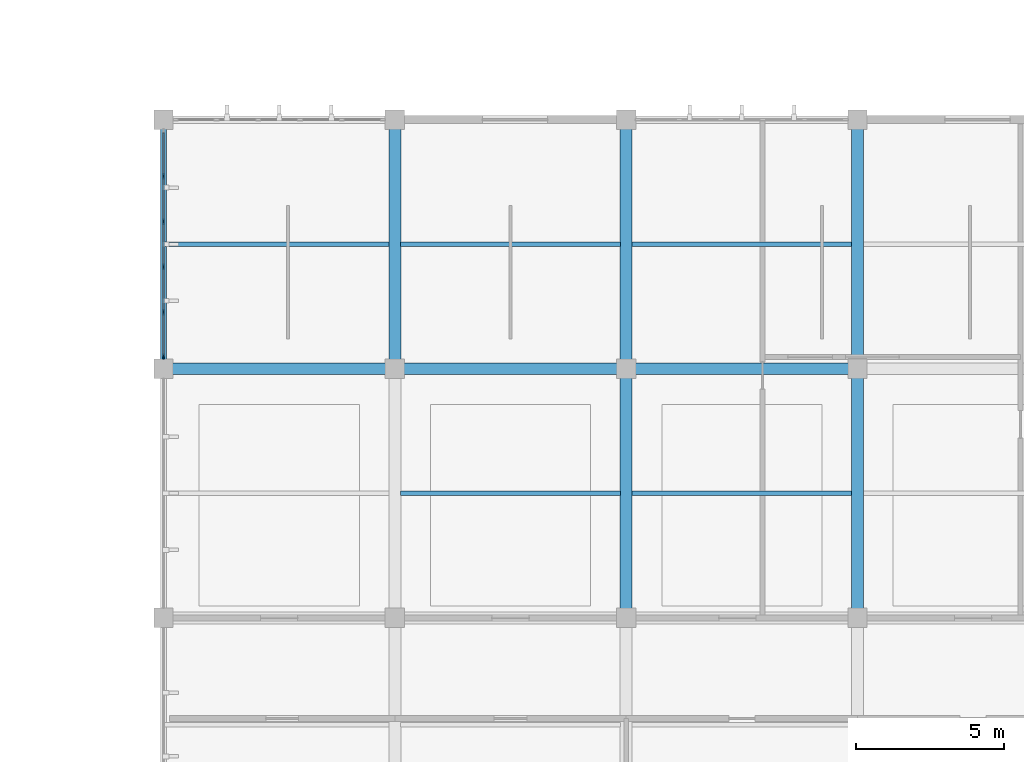
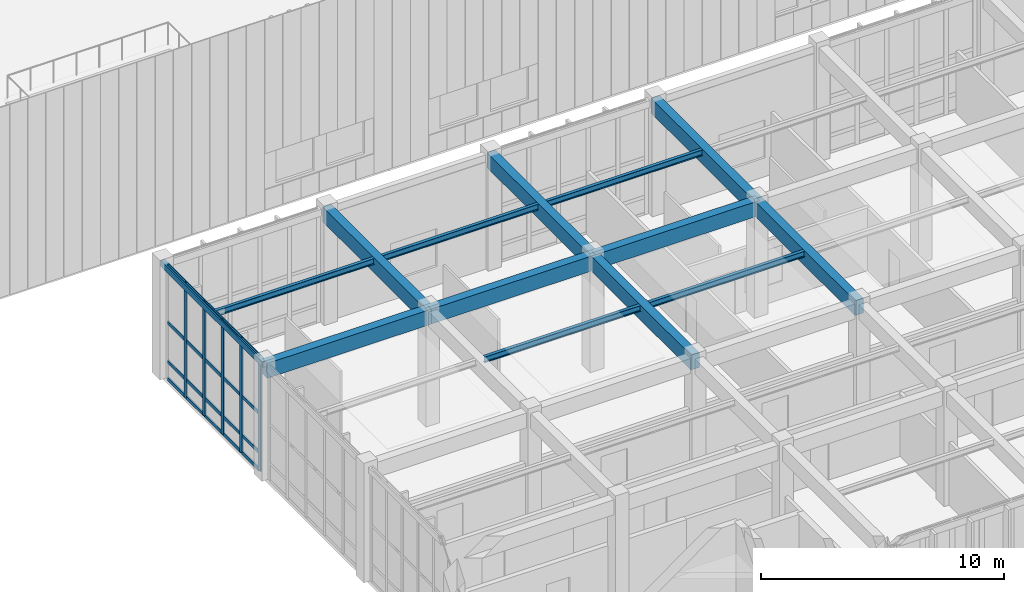
# One storey, part 12 of 105: 25 members, 14 beams, 1 element without a shape of its own.
"""IFC4 building model written with IfcOpenShell, lengths in metres."""

from ifc_helpers import new_model, si_unit, direction, frame, origin, origin_2d, place, context, subcontext, project, spatial, rectangle, hollow_rectangle, i_section, extrude, material, material_profile, profile_set, type_object, element, aggregate, save


model = new_model("IFC4")

# Units and contexts
model_context = context("Model", 3, precision=1e-05, world=origin(), true_north=direction((0.0, 1.0)))
body_context = subcontext(model_context, "Body", "Model", "MODEL_VIEW")
ifc_project = project(units=[si_unit("LENGTHUNIT", "METRE"), si_unit("AREAUNIT", "SQUARE_METRE"), si_unit("VOLUMEUNIT", "CUBIC_METRE"), si_unit("PLANEANGLEUNIT", "RADIAN"), si_unit("MASSUNIT", "GRAM", prefix="KILO")], contexts=[model_context])

# Site, building, storey
site_placement = place(None, origin())
site = spatial("IfcSite", under=ifc_project, at=site_placement, CompositionType="ELEMENT")
building_placement = place(site_placement, origin())
building = spatial("IfcBuilding", under=site, at=building_placement, Name="Tizgana Railside Sports Hall", CompositionType="ELEMENT")
storey_placement = place(building_placement, frame((0.0, 0.0, 6.0)))
storey = spatial("IfcBuildingStorey", under=building, at=storey_placement, Name="L01", CompositionType="ELEMENT", Elevation=6.0)

# Beams
ifc_material_1 = material(Name="Concrete C35/45", Category="concrete")
ifc_material_profile_1 = material_profile(ifc_material_1, rectangle(XDim=0.39990234375, YDim=0.75, at=origin_2d()), Name="RCB 400x750")
ifc_profile_set_1 = profile_set([ifc_material_profile_1], Name="Concrete C35/45")
beam_type_1 = type_object("IfcBeamType", Name="Concrete Beam RCB 400x750", PredefinedType="BEAM", material=ifc_profile_set_1)
for number, where, z_axis, x_axis, name in (
    (1, (15.60009765625, 24.0, 5.361083984375), (0.0, 1.0, 0.0), (-1.0, 0.0, 0.0), "L01 BEM-0471"),
    (2, (23.39990234375, 15.60009765625, 5.361083984375), (0.0, 1.0, 0.0), (-1.0, 0.0, 0.0), "L01 BEM-0474"),
    (3, (23.39990234375, 24.0, 5.361083984375), (0.0, 1.0, 0.0), (-1.0, 0.0, 0.0), "L01 BEM-0475"),
    (4, (31.199951171875, 15.60009765625, 5.361083984375), (0.0, 1.0, 0.0), (-1.0, 0.0, 0.0), "L01 BEM-0478"),
    (5, (31.199951171875, 24.0, 5.361083984375), (0.0, 1.0, 0.0), (-1.0, 0.0, 0.0), "L01 BEM-0479"),
):
    element("IfcBeam", number, at=place(storey_placement, frame(where, z_axis=z_axis, x_axis=x_axis)), inside=storey, type_object=beam_type_1, Name=name, PredefinedType="BEAM", context=body_context, shape_type="SweptSolid", body=[
        extrude(rectangle(XDim=0.39990234375, YDim=0.75, at=origin_2d()), origin(), (0.0, 0.0, 1.0), 8.39990234375),
    ])
beam_1_placement = place(storey_placement, frame((7.800048828125, 24.0, 5.361083984375), z_axis=(1.0, 0.0, 0.0), x_axis=(0.0, 1.0, 0.0)))
element("IfcBeam", 6, at=beam_1_placement, inside=storey, type_object=beam_type_1, Name="L01 BEM-0512", PredefinedType="BEAM", context=body_context, shape_type="SweptSolid", body=[
    extrude(rectangle(XDim=0.39990234375, YDim=0.75, at=origin_2d()), origin(), (0.0, 0.0, 1.0), 7.800048828125),
])
beam_2_placement = place(storey_placement, frame((15.60009765625, 24.0, 5.361083984375), z_axis=(1.0, 0.0, 0.0), x_axis=(0.0, 1.0, 0.0)))
element("IfcBeam", 7, at=beam_2_placement, inside=storey, type_object=beam_type_1, Name="L01 BEM-0519", PredefinedType="BEAM", context=body_context, shape_type="SweptSolid", body=[
    extrude(rectangle(XDim=0.39990234375, YDim=0.75, at=origin_2d()), origin(), (0.0, 0.0, 1.0), 7.7998046875),
])
beam_3_placement = place(storey_placement, frame((23.39990234375, 24.0, 5.361083984375), z_axis=(1.0, 0.0, 0.0), x_axis=(0.0, 1.0, 0.0)))
element("IfcBeam", 8, at=beam_3_placement, inside=storey, type_object=beam_type_1, Name="L01 BEM-0527", PredefinedType="BEAM", context=body_context, shape_type="SweptSolid", body=[
    extrude(rectangle(XDim=0.39990234375, YDim=0.75, at=origin_2d()), origin(), (0.0, 0.0, 1.0), 7.800048828125),
])

# Curtain wall, members
ifc_material_2 = material(Name="Anodised aluminium and glass", Category="aluminium")
curtain_wall_type = type_object("IfcCurtainWallType", Name="Unitised Curtain Wall Climbing 1600", PredefinedType="NOTDEFINED", material=ifc_material_2)
curtain_wall_placement = place(storey_placement, origin())
curtain_wall = element("IfcCurtainWall", 9, at=curtain_wall_placement, inside=storey, type_object=curtain_wall_type, Name="L01 Curtain Wall CW-0099", PredefinedType="NOTDEFINED")
ifc_material_3 = material(Name="Anodised aluminium", Category="aluminium")
ifc_material_profile_2 = material_profile(ifc_material_3, rectangle(XDim=0.06494140625, YDim=0.199951171875, at=origin_2d()), Name="Mullion 65x200")
ifc_profile_set_2 = profile_set([ifc_material_profile_2], Name="Anodised aluminium")
member_type_1 = type_object("IfcMemberType", Name="Mullion 65x200", PredefinedType="MULLION", material=ifc_profile_set_2)
member_1_placement = place(storey_placement, frame((7.800048828125, 30.491943359375, 0.0), z_axis=(0.0, 0.0, 1.0), x_axis=(1.0, 0.0, 0.0)))
member_1 = element("IfcMember", 10, at=member_1_placement, type_object=member_type_1, Name="CW-04 mullion 2", PredefinedType="MULLION", context=body_context, shape_type="SweptSolid", body=[
    extrude(rectangle(XDim=0.06494140625, YDim=0.199951171875, at=origin_2d()), origin(), (0.0, 0.0, 1.0), 5.719970703125),
])
member_2_placement = place(storey_placement, frame((7.800048828125, 28.964111328125, 0.0), z_axis=(0.0, 0.0, 1.0), x_axis=(1.0, 0.0, 0.0)))
member_2 = element("IfcMember", 11, at=member_2_placement, type_object=member_type_1, Name="CW-04 mullion 3", PredefinedType="MULLION", context=body_context, shape_type="SweptSolid", body=[
    extrude(rectangle(XDim=0.06494140625, YDim=0.199951171875, at=origin_2d()), origin(), (0.0, 0.0, 1.0), 5.719970703125),
])
member_3_placement = place(storey_placement, frame((7.800048828125, 27.43603515625, 0.0), z_axis=(0.0, 0.0, 1.0), x_axis=(1.0, 0.0, 0.0)))
member_3 = element("IfcMember", 12, at=member_3_placement, type_object=member_type_1, Name="CW-04 mullion 4", PredefinedType="MULLION", context=body_context, shape_type="SweptSolid", body=[
    extrude(rectangle(XDim=0.06494140625, YDim=0.199951171875, at=origin_2d()), origin(), (0.0, 0.0, 1.0), 5.719970703125),
])
member_4_placement = place(storey_placement, frame((7.800048828125, 25.907958984375, 0.0), z_axis=(0.0, 0.0, 1.0), x_axis=(1.0, 0.0, 0.0)))
member_4 = element("IfcMember", 13, at=member_4_placement, type_object=member_type_1, Name="CW-04 mullion 5", PredefinedType="MULLION", context=body_context, shape_type="SweptSolid", body=[
    extrude(rectangle(XDim=0.06494140625, YDim=0.199951171875, at=origin_2d()), origin(), (0.0, 0.0, 1.0), 5.719970703125),
])
member_5_placement = place(storey_placement, frame((7.800048828125, 24.41259765625, 0.0), z_axis=(0.0, 0.0, 1.0), x_axis=(1.0, 0.0, 0.0)))
member_5 = element("IfcMember", 14, at=member_5_placement, type_object=member_type_1, Name="CW-04 mullion 6", PredefinedType="MULLION", context=body_context, shape_type="SweptSolid", body=[
    extrude(rectangle(XDim=0.06494140625, YDim=0.199951171875, at=origin_2d()), origin(), (0.0, 0.0, 1.0), 5.719970703125),
])

# Beams
ifc_material_4 = material(Name="Steel S355J2", Category="steel")
ifc_material_profile_3 = material_profile(ifc_material_4, i_section(OverallWidth=0.14990234375, OverallDepth=0.300048828125, WebThickness=0.007080078125, FlangeThickness=0.0107421875, FilletRadius=0.014892578125, at=origin_2d()), Name="IPE 300")
ifc_profile_set_3 = profile_set([ifc_material_profile_3], Name="Steel S355J2")
beam_type_2 = type_object("IfcBeamType", Name="Steel Joist IPE 300", PredefinedType="JOIST", material=ifc_profile_set_3)
beam_4_placement = place(storey_placement, frame((7.800048828125, 28.199951171875, 5.5859375), z_axis=(1.0, 0.0, 0.0), x_axis=(0.0, 1.0, 0.0)))
element("IfcBeam", 15, at=beam_4_placement, inside=storey, type_object=beam_type_2, Name="L01 BEM-0516", PredefinedType="JOIST", context=body_context, shape_type="SweptSolid", body=[
    extrude(i_section(OverallWidth=0.14990234375, OverallDepth=0.300048828125, WebThickness=0.007080078125, FlangeThickness=0.0107421875, FilletRadius=0.014892578125, at=origin_2d()), origin(), (0.0, 0.0, 1.0), 7.60498046875),
])
for number, where, z_axis, x_axis, name in (
    (16, (15.794921875, 19.800048828125, 5.5859375), (1.0, 0.0, 0.0), (0.0, 1.0, 0.0), "L01 BEM-0522"),
    (17, (15.794921875, 28.199951171875, 5.5859375), (1.0, 0.0, 0.0), (0.0, 1.0, 0.0), "L01 BEM-0523"),
):
    element("IfcBeam", number, at=place(storey_placement, frame(where, z_axis=z_axis, x_axis=x_axis)), inside=storey, type_object=beam_type_2, Name=name, PredefinedType="JOIST", context=body_context, shape_type="SweptSolid", body=[
        extrude(i_section(OverallWidth=0.14990234375, OverallDepth=0.300048828125, WebThickness=0.007080078125, FlangeThickness=0.0107421875, FilletRadius=0.014892578125, at=origin_2d()), origin(), (0.0, 0.0, 1.0), 7.41015625),
    ])
for number, where, z_axis, x_axis, name in (
    (18, (23.594970703125, 19.800048828125, 5.5859375), (1.0, 0.0, 0.0), (0.0, 1.0, 0.0), "L01 BEM-0531"),
    (19, (23.594970703125, 28.199951171875, 5.5859375), (1.0, 0.0, 0.0), (0.0, 1.0, 0.0), "L01 BEM-0532"),
):
    element("IfcBeam", number, at=place(storey_placement, frame(where, z_axis=z_axis, x_axis=x_axis)), inside=storey, type_object=beam_type_2, Name=name, PredefinedType="JOIST", context=body_context, shape_type="SweptSolid", body=[
        extrude(i_section(OverallWidth=0.14990234375, OverallDepth=0.300048828125, WebThickness=0.007080078125, FlangeThickness=0.0107421875, FilletRadius=0.014892578125, at=origin_2d()), origin(), (0.0, 0.0, 1.0), 7.409912109375),
    ])
ifc_material_profile_4 = material_profile(ifc_material_4, hollow_rectangle(XDim=0.199951171875, YDim=0.300048828125, WallThickness=0.010009765625, at=origin_2d()), Name="RHS 300x200x10")
ifc_profile_set_4 = profile_set([ifc_material_profile_4], Name="Steel S355J2")
beam_type_3 = type_object("IfcBeamType", Name="Steel Spandrel RHS 300x200x10", PredefinedType="SPANDREL", material=ifc_profile_set_4)
beam_5_placement = place(storey_placement, frame((7.800048828125, 24.0, 5.5859375), z_axis=(0.0, 1.0, 0.0), x_axis=(-1.0, 0.0, 0.0)))
element("IfcBeam", 20, at=beam_5_placement, inside=storey, type_object=beam_type_3, Name="L01 BEM-0468", PredefinedType="SPANDREL", context=body_context, shape_type="SweptSolid", body=[
    extrude(hollow_rectangle(XDim=0.199951171875, YDim=0.300048828125, WallThickness=0.010009765625, at=origin_2d()), origin(), (0.0, 0.0, 1.0), 8.39990234375),
])

# Member
ifc_material_profile_5 = material_profile(ifc_material_3, rectangle(XDim=0.06494140625, YDim=0.169921875, at=origin_2d()), Name="Transom 65x170")
ifc_profile_set_5 = profile_set([ifc_material_profile_5], Name="Anodised aluminium")
member_type_2 = type_object("IfcMemberType", Name="Transom 65x170", PredefinedType="USERDEFINED", material=ifc_profile_set_5)
member_6_placement = place(storey_placement, frame((7.800048828125, 31.955078125, 0.032470703125), z_axis=(0.0, -1.0, 0.0), x_axis=(1.0, 0.0, 0.0)))
member_6 = element("IfcMember", 21, at=member_6_placement, type_object=member_type_2, Name="CW-04 transom 1.1", ObjectType="TRANSOM", PredefinedType="USERDEFINED", context=body_context, shape_type="SweptSolid", body=[
    extrude(rectangle(XDim=0.06494140625, YDim=0.169921875, at=origin_2d()), origin(), (0.0, 0.0, 1.0), 1.4306640625),
])

member_7_placement = place(storey_placement, frame((7.800048828125, 31.955078125, 0.89990234375), z_axis=(0.0, -1.0, 0.0), x_axis=(1.0, 0.0, 0.0)))
member_7 = element("IfcMember", 22, at=member_7_placement, type_object=member_type_2, Name="CW-04 transom 1.2", ObjectType="TRANSOM", PredefinedType="USERDEFINED", context=body_context, shape_type="SweptSolid", body=[
    extrude(rectangle(XDim=0.06494140625, YDim=0.169921875, at=origin_2d()), origin(), (0.0, 0.0, 1.0), 1.4306640625),
])

member_8_placement = place(storey_placement, frame((7.800048828125, 31.955078125, 2.860107421875), z_axis=(0.0, -1.0, 0.0), x_axis=(1.0, 0.0, 0.0)))
member_8 = element("IfcMember", 23, at=member_8_placement, type_object=member_type_2, Name="CW-04 transom 1.3", ObjectType="TRANSOM", PredefinedType="USERDEFINED", context=body_context, shape_type="SweptSolid", body=[
    extrude(rectangle(XDim=0.06494140625, YDim=0.169921875, at=origin_2d()), origin(), (0.0, 0.0, 1.0), 1.4306640625),
])

member_9_placement = place(storey_placement, frame((7.800048828125, 31.955078125, 5.6875), z_axis=(0.0, -1.0, 0.0), x_axis=(1.0, 0.0, 0.0)))
member_9 = element("IfcMember", 24, at=member_9_placement, type_object=member_type_2, Name="CW-04 transom 1.4", ObjectType="TRANSOM", PredefinedType="USERDEFINED", context=body_context, shape_type="SweptSolid", body=[
    extrude(rectangle(XDim=0.06494140625, YDim=0.169921875, at=origin_2d()), origin(), (0.0, 0.0, 1.0), 1.4306640625),
])

member_10_placement = place(storey_placement, frame((7.800048828125, 30.45947265625, 0.032470703125), z_axis=(0.0, -1.0, 0.0), x_axis=(1.0, 0.0, 0.0)))
member_10 = element("IfcMember", 25, at=member_10_placement, type_object=member_type_2, Name="CW-04 transom 2.1", ObjectType="TRANSOM", PredefinedType="USERDEFINED", context=body_context, shape_type="SweptSolid", body=[
    extrude(rectangle(XDim=0.06494140625, YDim=0.169921875, at=origin_2d()), origin(), (0.0, 0.0, 1.0), 1.462890625),
])

member_11_placement = place(storey_placement, frame((7.800048828125, 30.45947265625, 0.89990234375), z_axis=(0.0, -1.0, 0.0), x_axis=(1.0, 0.0, 0.0)))
member_11 = element("IfcMember", 26, at=member_11_placement, type_object=member_type_2, Name="CW-04 transom 2.2", ObjectType="TRANSOM", PredefinedType="USERDEFINED", context=body_context, shape_type="SweptSolid", body=[
    extrude(rectangle(XDim=0.06494140625, YDim=0.169921875, at=origin_2d()), origin(), (0.0, 0.0, 1.0), 1.462890625),
])

member_12_placement = place(storey_placement, frame((7.800048828125, 30.45947265625, 2.860107421875), z_axis=(0.0, -1.0, 0.0), x_axis=(1.0, 0.0, 0.0)))
member_12 = element("IfcMember", 27, at=member_12_placement, type_object=member_type_2, Name="CW-04 transom 2.3", ObjectType="TRANSOM", PredefinedType="USERDEFINED", context=body_context, shape_type="SweptSolid", body=[
    extrude(rectangle(XDim=0.06494140625, YDim=0.169921875, at=origin_2d()), origin(), (0.0, 0.0, 1.0), 1.462890625),
])

member_13_placement = place(storey_placement, frame((7.800048828125, 30.45947265625, 5.6875), z_axis=(0.0, -1.0, 0.0), x_axis=(1.0, 0.0, 0.0)))
member_13 = element("IfcMember", 28, at=member_13_placement, type_object=member_type_2, Name="CW-04 transom 2.4", ObjectType="TRANSOM", PredefinedType="USERDEFINED", context=body_context, shape_type="SweptSolid", body=[
    extrude(rectangle(XDim=0.06494140625, YDim=0.169921875, at=origin_2d()), origin(), (0.0, 0.0, 1.0), 1.462890625),
])

member_14_placement = place(storey_placement, frame((7.800048828125, 28.931396484375, 0.032470703125), z_axis=(0.0, -1.0, 0.0), x_axis=(1.0, 0.0, 0.0)))
member_14 = element("IfcMember", 29, at=member_14_placement, type_object=member_type_2, Name="CW-04 transom 3.1", ObjectType="TRANSOM", PredefinedType="USERDEFINED", context=body_context, shape_type="SweptSolid", body=[
    extrude(rectangle(XDim=0.06494140625, YDim=0.169921875, at=origin_2d()), origin(), (0.0, 0.0, 1.0), 1.462890625),
])

member_15_placement = place(storey_placement, frame((7.800048828125, 28.931396484375, 0.89990234375), z_axis=(0.0, -1.0, 0.0), x_axis=(1.0, 0.0, 0.0)))
member_15 = element("IfcMember", 30, at=member_15_placement, type_object=member_type_2, Name="CW-04 transom 3.2", ObjectType="TRANSOM", PredefinedType="USERDEFINED", context=body_context, shape_type="SweptSolid", body=[
    extrude(rectangle(XDim=0.06494140625, YDim=0.169921875, at=origin_2d()), origin(), (0.0, 0.0, 1.0), 1.462890625),
])

member_16_placement = place(storey_placement, frame((7.800048828125, 28.931396484375, 2.860107421875), z_axis=(0.0, -1.0, 0.0), x_axis=(1.0, 0.0, 0.0)))
member_16 = element("IfcMember", 31, at=member_16_placement, type_object=member_type_2, Name="CW-04 transom 3.3", ObjectType="TRANSOM", PredefinedType="USERDEFINED", context=body_context, shape_type="SweptSolid", body=[
    extrude(rectangle(XDim=0.06494140625, YDim=0.169921875, at=origin_2d()), origin(), (0.0, 0.0, 1.0), 1.462890625),
])

member_17_placement = place(storey_placement, frame((7.800048828125, 28.931396484375, 5.6875), z_axis=(0.0, -1.0, 0.0), x_axis=(1.0, 0.0, 0.0)))
member_17 = element("IfcMember", 32, at=member_17_placement, type_object=member_type_2, Name="CW-04 transom 3.4", ObjectType="TRANSOM", PredefinedType="USERDEFINED", context=body_context, shape_type="SweptSolid", body=[
    extrude(rectangle(XDim=0.06494140625, YDim=0.169921875, at=origin_2d()), origin(), (0.0, 0.0, 1.0), 1.462890625),
])

member_18_placement = place(storey_placement, frame((7.800048828125, 27.403564453125, 0.032470703125), z_axis=(0.0, -1.0, 0.0), x_axis=(1.0, 0.0, 0.0)))
member_18 = element("IfcMember", 33, at=member_18_placement, type_object=member_type_2, Name="CW-04 transom 4.1", ObjectType="TRANSOM", PredefinedType="USERDEFINED", context=body_context, shape_type="SweptSolid", body=[
    extrude(rectangle(XDim=0.06494140625, YDim=0.169921875, at=origin_2d()), origin(), (0.0, 0.0, 1.0), 1.463134765625),
])

member_19_placement = place(storey_placement, frame((7.800048828125, 27.403564453125, 0.89990234375), z_axis=(0.0, -1.0, 0.0), x_axis=(1.0, 0.0, 0.0)))
member_19 = element("IfcMember", 34, at=member_19_placement, type_object=member_type_2, Name="CW-04 transom 4.2", ObjectType="TRANSOM", PredefinedType="USERDEFINED", context=body_context, shape_type="SweptSolid", body=[
    extrude(rectangle(XDim=0.06494140625, YDim=0.169921875, at=origin_2d()), origin(), (0.0, 0.0, 1.0), 1.463134765625),
])

member_20_placement = place(storey_placement, frame((7.800048828125, 27.403564453125, 2.860107421875), z_axis=(0.0, -1.0, 0.0), x_axis=(1.0, 0.0, 0.0)))
member_20 = element("IfcMember", 35, at=member_20_placement, type_object=member_type_2, Name="CW-04 transom 4.3", ObjectType="TRANSOM", PredefinedType="USERDEFINED", context=body_context, shape_type="SweptSolid", body=[
    extrude(rectangle(XDim=0.06494140625, YDim=0.169921875, at=origin_2d()), origin(), (0.0, 0.0, 1.0), 1.463134765625),
])

member_21_placement = place(storey_placement, frame((7.800048828125, 27.403564453125, 5.6875), z_axis=(0.0, -1.0, 0.0), x_axis=(1.0, 0.0, 0.0)))
member_21 = element("IfcMember", 36, at=member_21_placement, type_object=member_type_2, Name="CW-04 transom 4.4", ObjectType="TRANSOM", PredefinedType="USERDEFINED", context=body_context, shape_type="SweptSolid", body=[
    extrude(rectangle(XDim=0.06494140625, YDim=0.169921875, at=origin_2d()), origin(), (0.0, 0.0, 1.0), 1.463134765625),
])

member_22_placement = place(storey_placement, frame((7.800048828125, 25.87548828125, 0.032470703125), z_axis=(0.0, -1.0, 0.0), x_axis=(1.0, 0.0, 0.0)))
member_22 = element("IfcMember", 37, at=member_22_placement, type_object=member_type_2, Name="CW-04 transom 5.1", ObjectType="TRANSOM", PredefinedType="USERDEFINED", context=body_context, shape_type="SweptSolid", body=[
    extrude(rectangle(XDim=0.06494140625, YDim=0.169921875, at=origin_2d()), origin(), (0.0, 0.0, 1.0), 1.430419921875),
])

member_23_placement = place(storey_placement, frame((7.800048828125, 25.87548828125, 0.89990234375), z_axis=(0.0, -1.0, 0.0), x_axis=(1.0, 0.0, 0.0)))
member_23 = element("IfcMember", 38, at=member_23_placement, type_object=member_type_2, Name="CW-04 transom 5.2", ObjectType="TRANSOM", PredefinedType="USERDEFINED", context=body_context, shape_type="SweptSolid", body=[
    extrude(rectangle(XDim=0.06494140625, YDim=0.169921875, at=origin_2d()), origin(), (0.0, 0.0, 1.0), 1.430419921875),
])

member_24_placement = place(storey_placement, frame((7.800048828125, 25.87548828125, 2.860107421875), z_axis=(0.0, -1.0, 0.0), x_axis=(1.0, 0.0, 0.0)))
member_24 = element("IfcMember", 39, at=member_24_placement, type_object=member_type_2, Name="CW-04 transom 5.3", ObjectType="TRANSOM", PredefinedType="USERDEFINED", context=body_context, shape_type="SweptSolid", body=[
    extrude(rectangle(XDim=0.06494140625, YDim=0.169921875, at=origin_2d()), origin(), (0.0, 0.0, 1.0), 1.430419921875),
])

member_25_placement = place(storey_placement, frame((7.800048828125, 25.87548828125, 5.6875), z_axis=(0.0, -1.0, 0.0), x_axis=(1.0, 0.0, 0.0)))
member_25 = element("IfcMember", 40, at=member_25_placement, type_object=member_type_2, Name="CW-04 transom 5.4", ObjectType="TRANSOM", PredefinedType="USERDEFINED", context=body_context, shape_type="SweptSolid", body=[
    extrude(rectangle(XDim=0.06494140625, YDim=0.169921875, at=origin_2d()), origin(), (0.0, 0.0, 1.0), 1.430419921875),
])

aggregate(curtain_wall, [member_1, member_2, member_3, member_4, member_5, member_6, member_7, member_8, member_9, member_10, member_11, member_12, member_13, member_14, member_15, member_16, member_17, member_18, member_19, member_20, member_21, member_22, member_23, member_24, member_25])

save(model, "model.ifc")
